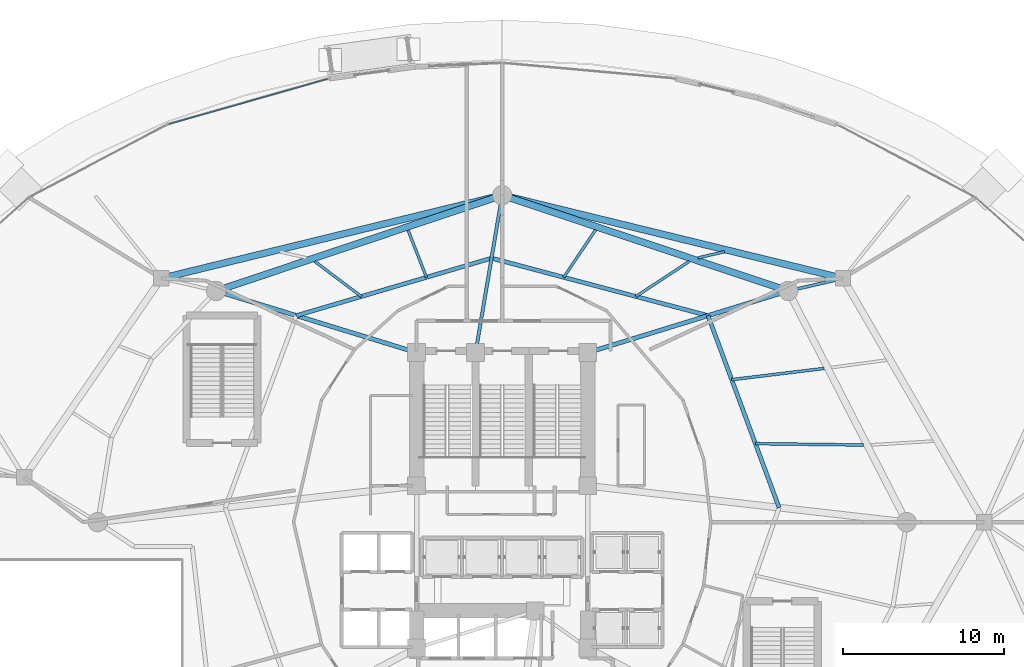
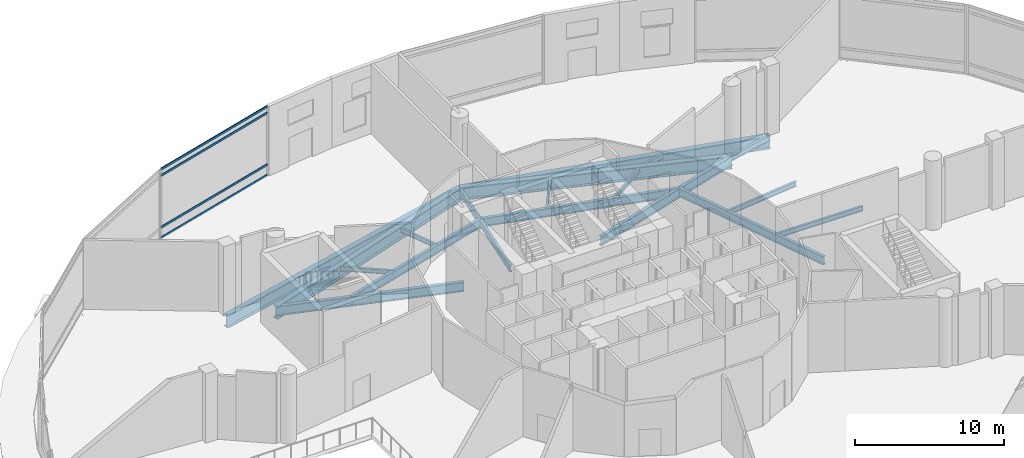
# One storey, part 19 of 40: 18 beams, 4 members, 1 element without a shape of its own.
"""IFC4 building model written with IfcOpenShell, lengths in metres."""

from ifc_helpers import new_model, si_unit, direction, frame, origin, origin_2d, place, context, subcontext, project, spatial, hollow_rectangle, i_section, extrude, material, layer, layer_set, material_profile, profile_set, type_object, element, aggregate, save


model = new_model("IFC4")

# Units and contexts
model_context = context("Model", 3, precision=1e-05, world=origin(), true_north=direction((0.0, 1.0)))
body_context = subcontext(model_context, "Body", "Model", "MODEL_VIEW")
ifc_project = project(units=[si_unit("LENGTHUNIT", "METRE"), si_unit("AREAUNIT", "SQUARE_METRE"), si_unit("VOLUMEUNIT", "CUBIC_METRE"), si_unit("PLANEANGLEUNIT", "RADIAN"), si_unit("MASSUNIT", "GRAM", prefix="KILO")], contexts=[model_context])

# Site, building, storey
site_placement = place(None, origin())
site = spatial("IfcSite", under=ifc_project, at=site_placement, CompositionType="ELEMENT")
building_placement = place(site_placement, origin())
building = spatial("IfcBuilding", under=site, at=building_placement, Name="Nuhasar Tower", CompositionType="ELEMENT")
storey_placement = place(building_placement, origin())
storey = spatial("IfcBuildingStorey", under=building, at=storey_placement, Name="L00", CompositionType="ELEMENT", Elevation=0.0)

# Beams
ifc_material_1 = material(Name="Steel S355", Category="steel")
ifc_material_profile_1 = material_profile(ifc_material_1, i_section(OverallWidth=0.25390625, OverallDepth=0.68408203125, WebThickness=0.012451171875, FlangeThickness=0.018798828125, at=origin_2d()), Name="W27X94")
ifc_profile_set_1 = profile_set([ifc_material_profile_1], Name="Steel S355")
beam_type_1 = type_object("IfcBeamType", Name="BM-INRING-W27X94", PredefinedType="BEAM", material=ifc_profile_set_1)
beam_1_placement = place(storey_placement, frame((56.14990234375, 27.699951171875, -0.662109375), z_axis=(-0.34715757476, 0.937806812881, 0.0), x_axis=(-0.937806812881, -0.34715757476, 0.0)))
element("IfcBeam", 1, at=beam_1_placement, inside=storey, type_object=beam_type_1, Name="L00 Inner Header Beam 04", PredefinedType="BEAM", context=body_context, shape_type="SweptSolid", body=[
    extrude(i_section(OverallWidth=0.25390625, OverallDepth=0.68408203125, WebThickness=0.012451171875, FlangeThickness=0.018798828125, at=origin_2d()), origin(), (0.0, 0.0, 1.0), 12.6796875),
])
beam_2_placement = place(storey_placement, frame((51.748046875, 39.591064453125, -0.662109375), z_axis=(-0.96653253005, 0.256544086574, 0.0), x_axis=(-0.256544086574, -0.96653253005, 0.0)))
element("IfcBeam", 2, at=beam_2_placement, inside=storey, type_object=beam_type_1, Name="L00 Inner Header Beam 05", PredefinedType="BEAM", context=body_context, shape_type="SweptSolid", body=[
    extrude(i_section(OverallWidth=0.25390625, OverallDepth=0.68408203125, WebThickness=0.012451171875, FlangeThickness=0.018798828125, at=origin_2d()), origin(), (0.0, 0.0, 1.0), 13.872314453125),
])
beam_3_placement = place(storey_placement, frame((38.340087890625, 43.14990234375, -0.662109375), z_axis=(-0.959290190666, -0.28242225495, 0.0), x_axis=(0.28242225495, -0.959290190666, 0.0)))
element("IfcBeam", 3, at=beam_3_placement, inside=storey, type_object=beam_type_1, Name="L00 Inner Header Beam 06", PredefinedType="BEAM", context=body_context, shape_type="SweptSolid", body=[
    extrude(i_section(OverallWidth=0.25390625, OverallDepth=0.68408203125, WebThickness=0.012451171875, FlangeThickness=0.018798828125, at=origin_2d()), origin(), (0.0, 0.0, 1.0), 12.60107421875),
])
ifc_material_profile_2 = material_profile(ifc_material_1, i_section(OverallWidth=0.1708984375, OverallDepth=0.35205078125, WebThickness=0.0068359375, FlangeThickness=0.009765625, at=origin_2d()), Name="W14X30")
ifc_profile_set_2 = profile_set([ifc_material_profile_2], Name="Steel S355")
beam_type_2 = type_object("IfcBeamType", Name="BM-JST-W14X30", PredefinedType="JOIST", material=ifc_profile_set_2)
beam_4_placement = place(storey_placement, frame((47.279052734375, 40.777099609375, -0.49609375), z_axis=(0.835823449521, 0.548998325345, 0.0), x_axis=(-0.548998325345, 0.835823449521, 0.0)))
element("IfcBeam", 4, at=beam_4_placement, inside=storey, type_object=beam_type_2, Name="L00 Secondary Floor Joist 09", PredefinedType="JOIST", context=body_context, shape_type="SweptSolid", body=[
    extrude(i_section(OverallWidth=0.1708984375, OverallDepth=0.35205078125, WebThickness=0.0068359375, FlangeThickness=0.009765625, at=origin_2d()), origin(), (0.0, 0.0, 1.0), 3.96142578125),
])
beam_5_placement = place(storey_placement, frame((42.80908203125, 41.964111328125, -0.49609375), z_axis=(0.558852429743, 0.82926712329, 0.0), x_axis=(-0.82926712329, 0.558852429743, 0.0)))
element("IfcBeam", 5, at=beam_5_placement, inside=storey, type_object=beam_type_2, Name="L00 Secondary Floor Joist 10", PredefinedType="JOIST", context=body_context, shape_type="SweptSolid", body=[
    extrude(i_section(OverallWidth=0.1708984375, OverallDepth=0.35205078125, WebThickness=0.0068359375, FlangeThickness=0.009765625, at=origin_2d()), origin(), (0.0, 0.0, 1.0), 3.535400390625),
])
beam_6_placement = place(storey_placement, frame((34.31103515625, 41.964111328125, -0.49609375), z_axis=(-0.364040737541, 0.931383026155, 0.0), x_axis=(-0.931383026155, -0.364040737541, 0.0)))
element("IfcBeam", 6, at=beam_6_placement, inside=storey, type_object=beam_type_2, Name="L00 Secondary Floor Joist 11", PredefinedType="JOIST", context=body_context, shape_type="SweptSolid", body=[
    extrude(i_section(OverallWidth=0.1708984375, OverallDepth=0.35205078125, WebThickness=0.0068359375, FlangeThickness=0.009765625, at=origin_2d()), origin(), (0.0, 0.0, 1.0), 3.1318359375),
])
beam_7_placement = place(storey_placement, frame((30.281005859375, 40.777099609375, -0.49609375), z_axis=(-0.799797251655, 0.600270236015, 0.0), x_axis=(-0.600270236015, -0.799797251655, 0.0)))
element("IfcBeam", 7, at=beam_7_placement, inside=storey, type_object=beam_type_2, Name="L00 Secondary Floor Joist 12", PredefinedType="JOIST", context=body_context, shape_type="SweptSolid", body=[
    extrude(i_section(OverallWidth=0.1708984375, OverallDepth=0.35205078125, WebThickness=0.0068359375, FlangeThickness=0.009765625, at=origin_2d()), origin(), (0.0, 0.0, 1.0), 3.61328125),
])
beam_8_placement = place(storey_placement, frame((51.117919921875, 43.1669921875, -0.49609375), z_axis=(0.974707362728, 0.223485026441, 0.0), x_axis=(-0.223485026441, 0.974707362728, 0.0)))
element("IfcBeam", 8, at=beam_8_placement, inside=storey, type_object=beam_type_2, Name="L00 Podium Secondary Joist 09", PredefinedType="JOIST", context=body_context, shape_type="SweptSolid", body=[
    extrude(i_section(OverallWidth=0.1708984375, OverallDepth=0.35205078125, WebThickness=0.0068359375, FlangeThickness=0.009765625, at=origin_2d()), origin(), (0.0, 0.0, 1.0), 1.686767578125),
])
ifc_material_profile_3 = material_profile(ifc_material_1, i_section(OverallWidth=0.177978515625, OverallDepth=0.406005859375, WebThickness=0.0078125, FlangeThickness=0.0126953125, at=origin_2d()), Name="W16X40")
ifc_profile_set_3 = profile_set([ifc_material_profile_3], Name="Steel S355")
beam_type_3 = type_object("IfcBeamType", Name="BM-JST-W16X40", PredefinedType="JOIST", material=ifc_profile_set_3)
beam_9_placement = place(storey_placement, frame((54.68310546875, 31.6640625, -0.52294921875), z_axis=(0.999913180567, -0.013176924078, 0.0), x_axis=(0.013176924078, 0.999913180567, 0.0)))
element("IfcBeam", 9, at=beam_9_placement, inside=storey, type_object=beam_type_3, Name="L00 Secondary Floor Joist 07", PredefinedType="JOIST", context=body_context, shape_type="SweptSolid", body=[
    extrude(i_section(OverallWidth=0.177978515625, OverallDepth=0.406005859375, WebThickness=0.0078125, FlangeThickness=0.0126953125, at=origin_2d()), origin(), (0.0, 0.0, 1.0), 6.6884765625),
])
beam_10_placement = place(storey_placement, frame((53.215087890625, 35.626953125, -0.52294921875), z_axis=(0.992752923061, 0.120173348764, 0.0), x_axis=(-0.120173348764, 0.992752923061, 0.0)))
element("IfcBeam", 10, at=beam_10_placement, inside=storey, type_object=beam_type_3, Name="L00 Secondary Floor Joist 08", PredefinedType="JOIST", context=body_context, shape_type="SweptSolid", body=[
    extrude(i_section(OverallWidth=0.177978515625, OverallDepth=0.406005859375, WebThickness=0.0078125, FlangeThickness=0.0126953125, at=origin_2d()), origin(), (0.0, 0.0, 1.0), 5.767578125),
])
ifc_material_profile_4 = material_profile(ifc_material_1, i_section(OverallWidth=0.18994140625, OverallDepth=0.45703125, WebThickness=0.009033203125, FlangeThickness=0.014404296875, at=origin_2d()), Name="W18X50")
ifc_profile_set_4 = profile_set([ifc_material_profile_4], Name="Steel S355")
beam_type_4 = type_object("IfcBeamType", Name="BM-RAD-W18X50", PredefinedType="BEAM", material=ifc_profile_set_4)
beam_11_placement = place(storey_placement, frame((56.712890625, 41.118896484375, -0.548095703125), z_axis=(0.974715141502, 0.223451097394, 0.0), x_axis=(-0.223451097394, 0.974715141502, 0.0)))
element("IfcBeam", 11, at=beam_11_placement, inside=storey, type_object=beam_type_4, Name="L00 Podium Radial Girder 05", PredefinedType="BEAM", context=body_context, shape_type="SweptSolid", body=[
    extrude(i_section(OverallWidth=0.18994140625, OverallDepth=0.45703125, WebThickness=0.009033203125, FlangeThickness=0.014404296875, at=origin_2d()), origin(), (0.0, 0.0, 1.0), 3.482177734375),
])
ifc_material_profile_5 = material_profile(ifc_material_1, i_section(OverallWidth=0.208984375, OverallDepth=0.532958984375, WebThickness=0.01025390625, FlangeThickness=0.015625, at=origin_2d()), Name="W21X62")
ifc_profile_set_5 = profile_set([ifc_material_profile_5], Name="Steel S355")
beam_type_5 = type_object("IfcBeamType", Name="BM-RAD-W21X62", PredefinedType="BEAM", material=ifc_profile_set_5)
beam_12_placement = place(storey_placement, frame((37.35009765625, 37.300048828125, -0.5869140625), z_axis=(0.166848703013, 0.98598251014, 0.0), x_axis=(-0.98598251014, 0.166848703013, 0.0)))
element("IfcBeam", 12, at=beam_12_placement, inside=storey, type_object=beam_type_5, Name="L00 Radial Floor Girder 06", PredefinedType="BEAM", context=body_context, shape_type="SweptSolid", body=[
    extrude(i_section(OverallWidth=0.208984375, OverallDepth=0.532958984375, WebThickness=0.01025390625, FlangeThickness=0.015625, at=origin_2d()), origin(), (0.0, 0.0, 1.0), 9.888671875),
])
ifc_material_profile_6 = material_profile(ifc_material_1, i_section(OverallWidth=0.26611328125, OverallDepth=0.779052734375, WebThickness=0.0166015625, FlangeThickness=0.030029296875, at=origin_2d()), Name="W30X148")
ifc_profile_set_6 = profile_set([ifc_material_profile_6], Name="Steel S355")
beam_type_6 = type_object("IfcBeamType", Name="BM-RAD-W30X148", PredefinedType="BEAM", material=ifc_profile_set_6)
for number, where, z_axis, x_axis, name in (
    (13, (44.300048828125, 37.300048828125, -0.7099609375), (0.955789576103, 0.294051502653, 0.0), (-0.294051502653, 0.955789576103, 0.0), "L00 Radial Floor Girder 05"),
    (14, (33.699951171875, 37.300048828125, -0.7099609375), (-0.955789576103, 0.294051502653, 0.0), (-0.294051502653, -0.955789576103, 0.0), "L00 Radial Floor Girder 07"),
):
    element("IfcBeam", number, at=place(storey_placement, frame(where, z_axis=z_axis, x_axis=x_axis)), inside=storey, type_object=beam_type_6, Name=name, PredefinedType="BEAM", context=body_context, shape_type="SweptSolid", body=[
        extrude(i_section(OverallWidth=0.26611328125, OverallDepth=0.779052734375, WebThickness=0.0166015625, FlangeThickness=0.030029296875, at=origin_2d()), origin(), (0.0, 0.0, 1.0), 12.987060546875),
    ])
ifc_material_2 = material(Name="Steel S460", Category="steel")
ifc_material_profile_7 = material_profile(ifc_material_2, i_section(OverallWidth=0.419921875, OverallDepth=1.0400390625, WebThickness=0.031005859375, FlangeThickness=0.055908203125, at=origin_2d()), Name="W40X397")
ifc_profile_set_7 = profile_set([ifc_material_profile_7], Name="Steel S460")
beam_type_7 = type_object("IfcBeamType", Name="BM-XFER-W40X397", PredefinedType="USERDEFINED", material=ifc_profile_set_7)
for number, where, z_axis, x_axis, name in (
    (15, (56.712890625, 41.118896484375, -0.840087890625), (-0.948251107254, 0.317521397062, 0.0), (-0.317521397062, -0.948251107254, 0.0), "L00 Mega-Column Ring Girder 05"),
    (16, (39.0, 47.050048828125, -0.840087890625), (-0.948251107254, -0.317521397062, 0.0), (0.317521397062, -0.948251107254, 0.0), "L00 Mega-Column Ring Girder 06"),
):
    element("IfcBeam", number, at=place(storey_placement, frame(where, z_axis=z_axis, x_axis=x_axis)), inside=storey, type_object=beam_type_7, Name=name, ObjectType="GIRDER", PredefinedType="USERDEFINED", context=body_context, shape_type="SweptSolid", body=[
        extrude(i_section(OverallWidth=0.419921875, OverallDepth=1.0400390625, WebThickness=0.031005859375, FlangeThickness=0.055908203125, at=origin_2d()), origin(), (0.0, 0.0, 1.0), 18.679443359375),
    ])
for number, where, z_axis, x_axis, name in (
    (17, (60.10693359375, 41.89697265625, -0.840087890625), (-0.971466874575, 0.23717527612, 0.0), (-0.23717527612, -0.971466874575, 0.0), "L00 Podium Ring Girder 05"),
    (18, (39.0, 47.050048828125, -0.840087890625), (-0.971466874575, -0.23717527612, 0.0), (0.23717527612, -0.971466874575, 0.0), "L00 Podium Ring Girder 06"),
):
    element("IfcBeam", number, at=place(storey_placement, frame(where, z_axis=z_axis, x_axis=x_axis)), inside=storey, type_object=beam_type_7, Name=name, ObjectType="GIRDER", PredefinedType="USERDEFINED", context=body_context, shape_type="SweptSolid", body=[
        extrude(i_section(OverallWidth=0.419921875, OverallDepth=1.0400390625, WebThickness=0.031005859375, FlangeThickness=0.055908203125, at=origin_2d()), origin(), (0.0, 0.0, 1.0), 21.726806640625),
    ])

# Curtain wall, members
ifc_material_3 = material(Name="Aluminium 6063-T6", Category="aluminium")
ifc_layer = layer(ifc_material_3, 0.219970703125)
ifc_layer_set = layer_set([ifc_layer], Name="Aluminium 6063-T6")
curtain_wall_type = type_object("IfcCurtainWallType", Name="CW-PODIUM", PredefinedType="NOTDEFINED", material=ifc_layer_set)
curtain_wall_placement = place(storey_placement, origin())
curtain_wall = element("IfcCurtainWall", 19, at=curtain_wall_placement, inside=storey, type_object=curtain_wall_type, Name="L00 Podium Curtain Wall Bay 08", PredefinedType="NOTDEFINED")
ifc_material_profile_8 = material_profile(ifc_material_3, hollow_rectangle(XDim=0.074951171875, YDim=0.179931640625, WallThickness=0.00439453125, at=origin_2d()), Name="CWT-1")
ifc_profile_set_8 = profile_set([ifc_material_profile_8], Name="Aluminium 6063-T6")
member_type = type_object("IfcMemberType", Name="CW-TRN-S1", PredefinedType="USERDEFINED", material=ifc_profile_set_8)
member_1_placement = place(storey_placement, frame((28.202880859375, 54.25048828125, 0.03759765625), z_axis=(-0.961896393959, -0.273414204622, 0.0), x_axis=(0.273414204622, -0.961896393959, 0.0)))
member_1 = element("IfcMember", 20, at=member_1_placement, type_object=member_type, Name="CW-P1 transom 1.1", ObjectType="TRANSOM", PredefinedType="USERDEFINED", context=body_context, shape_type="SweptSolid", body=[
    extrude(hollow_rectangle(XDim=0.074951171875, YDim=0.179931640625, WallThickness=0.00439453125, at=origin_2d()), origin(), (0.0, 0.0, 1.0), 10.240966796875),
])
member_2_placement = place(storey_placement, frame((28.202880859375, 54.25048828125, 0.89990234375), z_axis=(-0.961896393959, -0.273414204622, 0.0), x_axis=(0.273414204622, -0.961896393959, 0.0)))
member_2 = element("IfcMember", 21, at=member_2_placement, type_object=member_type, Name="CW-P1 transom 1.2", ObjectType="TRANSOM", PredefinedType="USERDEFINED", context=body_context, shape_type="SweptSolid", body=[
    extrude(hollow_rectangle(XDim=0.074951171875, YDim=0.179931640625, WallThickness=0.00439453125, at=origin_2d()), origin(), (0.0, 0.0, 1.0), 10.240966796875),
])
member_3_placement = place(storey_placement, frame((28.202880859375, 54.25048828125, 5.14990234375), z_axis=(-0.961896393959, -0.273414204622, 0.0), x_axis=(0.273414204622, -0.961896393959, 0.0)))
member_3 = element("IfcMember", 22, at=member_3_placement, type_object=member_type, Name="CW-P1 transom 1.3", ObjectType="TRANSOM", PredefinedType="USERDEFINED", context=body_context, shape_type="SweptSolid", body=[
    extrude(hollow_rectangle(XDim=0.074951171875, YDim=0.179931640625, WallThickness=0.00439453125, at=origin_2d()), origin(), (0.0, 0.0, 1.0), 10.240966796875),
])
member_4_placement = place(storey_placement, frame((28.202880859375, 54.25048828125, 5.66259765625), z_axis=(-0.961896393959, -0.273414204622, 0.0), x_axis=(0.273414204622, -0.961896393959, 0.0)))
member_4 = element("IfcMember", 23, at=member_4_placement, type_object=member_type, Name="CW-P1 transom 1.4", ObjectType="TRANSOM", PredefinedType="USERDEFINED", context=body_context, shape_type="SweptSolid", body=[
    extrude(hollow_rectangle(XDim=0.074951171875, YDim=0.179931640625, WallThickness=0.00439453125, at=origin_2d()), origin(), (0.0, 0.0, 1.0), 10.240966796875),
])
aggregate(curtain_wall, [member_1, member_2, member_3, member_4])

save(model, "model.ifc")
